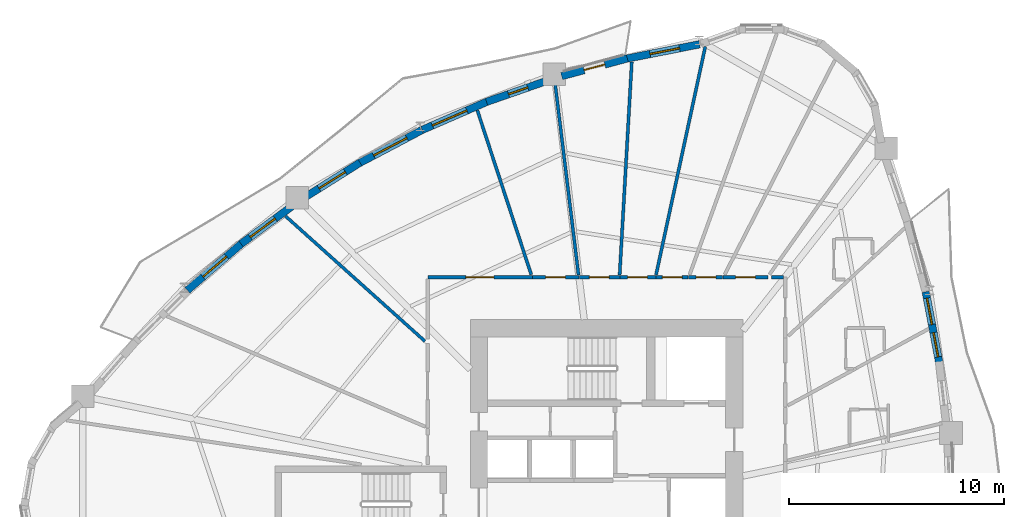
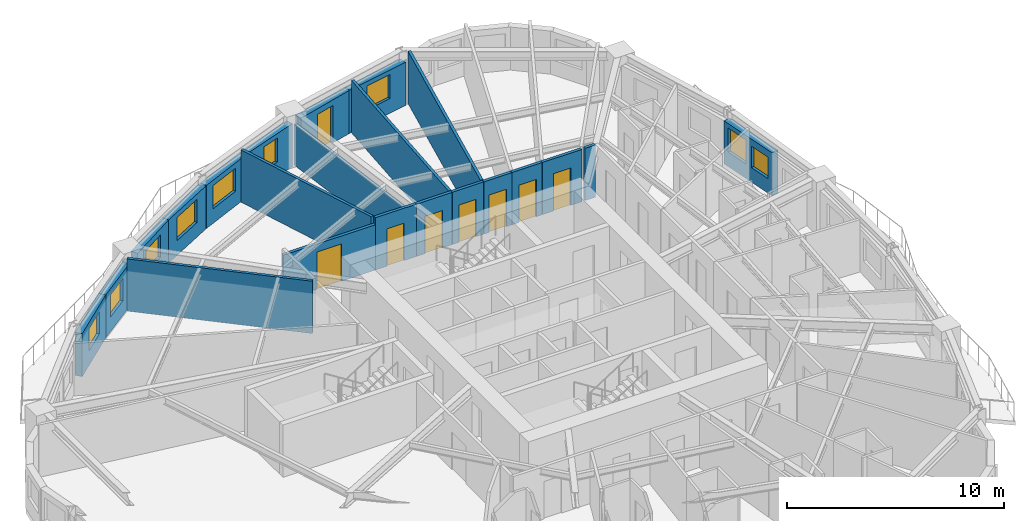
# One storey, part 8 of 14: 22 walls, 9 windows, 8 doors, 17 openings.
"""IFC4 building model written with IfcOpenShell, lengths in metres."""

from ifc_helpers import new_model, si_unit, direction, frame, frame_2d, origin, place, context, subcontext, project, spatial, rectangle, extrude, source, transform, mapped, material, layer, layer_set, type_object, element, fill, save


model = new_model("IFC4")

# Units and contexts
model_context = context("Model", 3, precision=1e-05, world=origin(), true_north=direction((0.0, 1.0)))
body_context = subcontext(model_context, "Body", "Model", "MODEL_VIEW")
ifc_project = project(units=[si_unit("LENGTHUNIT", "METRE"), si_unit("AREAUNIT", "SQUARE_METRE"), si_unit("VOLUMEUNIT", "CUBIC_METRE"), si_unit("PLANEANGLEUNIT", "RADIAN"), si_unit("MASSUNIT", "GRAM", prefix="KILO")], contexts=[model_context])

# Site, building, storey
site_placement = place(None, origin())
site = spatial("IfcSite", under=ifc_project, at=site_placement, CompositionType="ELEMENT")
building_placement = place(site_placement, origin())
building = spatial("IfcBuilding", under=site, at=building_placement, Name="Qafzar Sky-Pleat Residences", CompositionType="ELEMENT")
storey_placement = place(building_placement, frame((0.0, 0.0, 20.60009765625)))
storey = spatial("IfcBuildingStorey", under=building, at=storey_placement, Name="L05", CompositionType="ELEMENT", Elevation=20.60009765625)

# Wall, opening, door
ifc_material_1 = material(Name="Acoustic gypsum plasterboard partition", Category="gypsum")
ifc_layer_1 = layer(ifc_material_1, 0.159912109375)
ifc_layer_set_1 = layer_set([ifc_layer_1], Name="Acoustic gypsum plasterboard partition")
wall_type_1 = type_object("IfcWallType", Name="PART-COR-160", PredefinedType="PARTITIONING", material=ifc_layer_set_1)
wall_1_placement = place(storey_placement, frame((22.02001953125, 36.580078125, 0.0), z_axis=(0.0, 0.0, 1.0), x_axis=(1.0, 0.0, 0.0)))
wall_1 = element("IfcWall", 1, at=wall_1_placement, inside=storey, type_object=wall_type_1, Name="L05 Partition Wall PART-L05-PW-002", PredefinedType="PARTITIONING", context=body_context, shape_type="SweptSolid", body=[
    extrude(rectangle(XDim=4.8740234375, YDim=0.159912109375, at=frame_2d((2.43701171875, 0.0))), origin(), (0.0, 0.0, 1.0), 2.5478515625),
])
opening_1_placement = place(wall_1_placement, frame((1.779052734375, 0.0, 0.0)))
opening_1 = element("IfcOpeningElement", 2, at=opening_1_placement, cuts=wall_1, Name="Opening ID-05", PredefinedType="OPENING", context=body_context, shape_type="SweptSolid", body=[
    extrude(rectangle(XDim=1.300048828125, YDim=2.10009765625, at=frame_2d((0.64990234375, 1.050048828125))), frame((0.0, 0.08984375, 0.0), z_axis=(0.0, -1.0, 0.0), x_axis=(1.0, 0.0, 0.0)), (0.0, 0.0, 1.0), 0.179931640625),
])
ifc_material_2 = material(Name="Timber-faced fire door", Category="wood")
door_type_1 = type_object("IfcDoorType", Name="DR-LNG-1300", OperationType="DOUBLE_DOOR_SINGLE_SWING", PredefinedType="DOOR", material=ifc_material_2)
shared_shape_1 = source(origin(), body_context, "Body", "SweptSolid", [
    extrude(rectangle(XDim=1.300048828125, YDim=2.10009765625, at=frame_2d((0.64990234375, 1.050048828125))), frame((0.0, 0.02490234375, 0.0), z_axis=(0.0, -1.0, 0.0), x_axis=(1.0, 0.0, 0.0)), (0.0, 0.0, 1.0), 0.050048828125),
])
door_1_placement = place(opening_1_placement, origin())
door_1 = element("IfcDoor", 3, at=door_1_placement, inside=storey, type_object=door_type_1, Name="L05 Tutorial Huddle Room Door", OperationType="DOUBLE_DOOR_SINGLE_SWING", OverallHeight=2.10009765625, OverallWidth=1.300048828125, PredefinedType="DOOR", context=body_context, shape_type="MappedRepresentation", body=[
    mapped(shared_shape_1, transform((0.0, 0.0, 0.0), x_axis=(1.0, 0.0, 0.0), y_axis=(0.0, 1.0, 0.0), z_axis=(0.0, 0.0, 1.0), scale=1.0)),
])
fill(opening_1, door_1)

wall_2_placement = place(storey_placement, frame((26.908935546875, 36.580078125, 0.0), z_axis=(0.0, 0.0, 1.0), x_axis=(1.0, 0.0, 0.0)))
wall_2 = element("IfcWall", 4, at=wall_2_placement, inside=storey, type_object=wall_type_1, Name="L05 Partition Wall PART-L05-PW-016", PredefinedType="PARTITIONING", context=body_context, shape_type="SweptSolid", body=[
    extrude(rectangle(XDim=2.162109375, YDim=0.159912109375, at=frame_2d((1.0810546875, 0.0))), origin(), (0.0, 0.0, 1.0), 2.93994140625),
])
opening_2_placement = place(wall_2_placement, frame((0.597412109375, 0.0, 0.0)))
opening_2 = element("IfcOpeningElement", 5, at=opening_2_placement, cuts=wall_2, Name="Opening ID-04", PredefinedType="OPENING", context=body_context, shape_type="SweptSolid", body=[
    extrude(rectangle(XDim=0.919921875, YDim=2.10009765625, at=frame_2d((0.4599609375, 1.050048828125))), frame((0.0, 0.08984375, 0.0), z_axis=(0.0, -1.0, 0.0), x_axis=(1.0, 0.0, 0.0)), (0.0, 0.0, 1.0), 0.179931640625),
])
door_type_2 = type_object("IfcDoorType", Name="DR-BED-920", OperationType="NOTDEFINED", PredefinedType="DOOR", material=ifc_material_2)
shared_shape_2 = source(origin(), body_context, "Body", "SweptSolid", [
    extrude(rectangle(XDim=0.919921875, YDim=2.10009765625, at=frame_2d((0.4599609375, 1.050048828125))), frame((0.0, 0.02490234375, 0.0), z_axis=(0.0, -1.0, 0.0), x_axis=(1.0, 0.0, 0.0)), (0.0, 0.0, 1.0), 0.050048828125),
])
door_2_placement = place(opening_2_placement, origin())
door_2 = element("IfcDoor", 6, at=door_2_placement, inside=storey, type_object=door_type_2, Name="L05 Co-Living Bedroom 3 Door", OperationType="SINGLE_SWING_LEFT", OverallHeight=2.10009765625, OverallWidth=0.919921875, PredefinedType="DOOR", context=body_context, shape_type="MappedRepresentation", body=[
    mapped(shared_shape_2, transform((0.0, 0.0, 0.0), x_axis=(1.0, 0.0, 0.0), y_axis=(0.0, 1.0, 0.0), z_axis=(0.0, 0.0, 1.0), scale=1.0)),
])
fill(opening_2, door_2)

wall_3_placement = place(storey_placement, frame((35.77294921875, 36.580078125, 0.0), z_axis=(0.0, 0.0, 1.0), x_axis=(1.0, 0.0, 0.0)))
wall_3 = element("IfcWall", 7, at=wall_3_placement, inside=storey, type_object=wall_type_1, Name="L05 Partition Wall PART-L05-PW-017", PredefinedType="PARTITIONING", context=body_context, shape_type="SweptSolid", body=[
    extrude(rectangle(XDim=2.09716796875, YDim=0.159912109375, at=frame_2d((1.048583984375, 0.0))), origin(), (0.0, 0.0, 1.0), 2.93994140625),
])
opening_3_placement = place(wall_3_placement, frame((0.587890625, 0.0, 0.0)))
opening_3 = element("IfcOpeningElement", 8, at=opening_3_placement, cuts=wall_3, Name="Opening ID-04", PredefinedType="OPENING", context=body_context, shape_type="SweptSolid", body=[
    extrude(rectangle(XDim=0.919921875, YDim=2.10009765625, at=frame_2d((0.4599609375, 1.050048828125))), frame((0.0, 0.08984375, 0.0), z_axis=(0.0, -1.0, 0.0), x_axis=(1.0, 0.0, 0.0)), (0.0, 0.0, 1.0), 0.179931640625),
])
door_3_placement = place(opening_3_placement, origin())
door_3 = element("IfcDoor", 9, at=door_3_placement, inside=storey, type_object=door_type_2, Name="L05 Co-Living Bedroom 16 Door", OperationType="SINGLE_SWING_RIGHT", OverallHeight=2.10009765625, OverallWidth=0.919921875, PredefinedType="DOOR", context=body_context, shape_type="MappedRepresentation", body=[
    mapped(shared_shape_2, transform((0.0, 0.0, 0.0), x_axis=(1.0, 0.0, 0.0), y_axis=(0.0, 1.0, 0.0), z_axis=(0.0, 0.0, 1.0), scale=1.0)),
])
fill(opening_3, door_3)

wall_4_placement = place(storey_placement, frame((29.0859375, 36.580078125, 0.0), z_axis=(0.0, 0.0, 1.0), x_axis=(1.0, 0.0, 0.0)))
wall_4 = element("IfcWall", 10, at=wall_4_placement, inside=storey, type_object=wall_type_1, Name="L05 Partition Wall PART-L05-PW-026", PredefinedType="PARTITIONING", context=body_context, shape_type="SweptSolid", body=[
    extrude(rectangle(XDim=1.882080078125, YDim=0.159912109375, at=frame_2d((0.94091796875, 0.0))), origin(), (0.0, 0.0, 1.0), 2.93994140625),
])
opening_4_placement = place(wall_4_placement, frame((0.4580078125, 0.0, 0.0)))
opening_4 = element("IfcOpeningElement", 11, at=opening_4_placement, cuts=wall_4, Name="Opening ID-04", PredefinedType="OPENING", context=body_context, shape_type="SweptSolid", body=[
    extrude(rectangle(XDim=0.919921875, YDim=2.10009765625, at=frame_2d((0.4599609375, 1.050048828125))), frame((0.0, 0.08984375, 0.0), z_axis=(0.0, -1.0, 0.0), x_axis=(1.0, 0.0, 0.0)), (0.0, 0.0, 1.0), 0.179931640625),
])
door_4_placement = place(opening_4_placement, origin())
door_4 = element("IfcDoor", 12, at=door_4_placement, inside=storey, type_object=door_type_2, Name="L05 Co-Living Bedroom 4 Door", OperationType="SINGLE_SWING_LEFT", OverallHeight=2.10009765625, OverallWidth=0.919921875, PredefinedType="DOOR", context=body_context, shape_type="MappedRepresentation", body=[
    mapped(shared_shape_2, transform((0.0, 0.0, 0.0), x_axis=(1.0, 0.0, 0.0), y_axis=(0.0, 1.0, 0.0), z_axis=(0.0, 0.0, 1.0), scale=1.0)),
])
fill(opening_4, door_4)

wall_5_placement = place(storey_placement, frame((30.98291015625, 36.580078125, 0.0), z_axis=(0.0, 0.0, 1.0), x_axis=(1.0, 0.0, 0.0)))
wall_5 = element("IfcWall", 13, at=wall_5_placement, inside=storey, type_object=wall_type_1, Name="L05 Partition Wall PART-L05-PW-030", PredefinedType="PARTITIONING", context=body_context, shape_type="SweptSolid", body=[
    extrude(rectangle(XDim=1.6650390625, YDim=0.159912109375, at=frame_2d((0.83251953125, 0.0))), origin(), (0.0, 0.0, 1.0), 2.93994140625),
])
opening_5_placement = place(wall_5_placement, frame((0.35009765625, 0.0, 0.0)))
opening_5 = element("IfcOpeningElement", 14, at=opening_5_placement, cuts=wall_5, Name="Opening ID-04", PredefinedType="OPENING", context=body_context, shape_type="SweptSolid", body=[
    extrude(rectangle(XDim=0.919921875, YDim=2.10009765625, at=frame_2d((0.4599609375, 1.050048828125))), frame((0.0, 0.08984375, 0.0), z_axis=(0.0, -1.0, 0.0), x_axis=(1.0, 0.0, 0.0)), (0.0, 0.0, 1.0), 0.179931640625),
])
door_5_placement = place(opening_5_placement, origin())
door_5 = element("IfcDoor", 15, at=door_5_placement, inside=storey, type_object=door_type_2, Name="L05 Co-Living Bedroom 1 Door", OperationType="SINGLE_SWING_LEFT", OverallHeight=2.10009765625, OverallWidth=0.919921875, PredefinedType="DOOR", context=body_context, shape_type="MappedRepresentation", body=[
    mapped(shared_shape_2, transform((0.0, 0.0, 0.0), x_axis=(1.0, 0.0, 0.0), y_axis=(0.0, 1.0, 0.0), z_axis=(0.0, 0.0, 1.0), scale=1.0)),
])
fill(opening_5, door_5)

wall_6_placement = place(storey_placement, frame((34.162109375, 36.580078125, 0.0), z_axis=(0.0, 0.0, 1.0), x_axis=(1.0, 0.0, 0.0)))
wall_6 = element("IfcWall", 16, at=wall_6_placement, inside=storey, type_object=wall_type_1, Name="L05 Partition Wall PART-L05-PW-032", PredefinedType="PARTITIONING", context=body_context, shape_type="SweptSolid", body=[
    extrude(rectangle(XDim=1.595947265625, YDim=0.159912109375, at=frame_2d((0.7978515625, 0.0))), origin(), (0.0, 0.0, 1.0), 2.93994140625),
])
opening_6_placement = place(wall_6_placement, frame((0.362060546875, 0.0, 0.0)))
opening_6 = element("IfcOpeningElement", 17, at=opening_6_placement, cuts=wall_6, Name="Opening ID-04", PredefinedType="OPENING", context=body_context, shape_type="SweptSolid", body=[
    extrude(rectangle(XDim=0.919921875, YDim=2.10009765625, at=frame_2d((0.4599609375, 1.050048828125))), frame((0.0, 0.08984375, 0.0), z_axis=(0.0, -1.0, 0.0), x_axis=(1.0, 0.0, 0.0)), (0.0, 0.0, 1.0), 0.179931640625),
])
door_6_placement = place(opening_6_placement, origin())
door_6 = element("IfcDoor", 18, at=door_6_placement, inside=storey, type_object=door_type_2, Name="L05 Co-Living Bedroom 15 Door", OperationType="SINGLE_SWING_LEFT", OverallHeight=2.10009765625, OverallWidth=0.919921875, PredefinedType="DOOR", context=body_context, shape_type="MappedRepresentation", body=[
    mapped(shared_shape_2, transform((0.0, 0.0, 0.0), x_axis=(1.0, 0.0, 0.0), y_axis=(0.0, 1.0, 0.0), z_axis=(0.0, 0.0, 1.0), scale=1.0)),
])
fill(opening_6, door_6)

wall_7_placement = place(storey_placement, frame((32.6630859375, 36.580078125, 0.0), z_axis=(0.0, 0.0, 1.0), x_axis=(1.0, 0.0, 0.0)))
wall_7 = element("IfcWall", 19, at=wall_7_placement, inside=storey, type_object=wall_type_1, Name="L05 Partition Wall PART-L05-PW-033", PredefinedType="PARTITIONING", context=body_context, shape_type="SweptSolid", body=[
    extrude(rectangle(XDim=1.48388671875, YDim=0.159912109375, at=frame_2d((0.741943359375, 0.0))), origin(), (0.0, 0.0, 1.0), 2.93994140625),
])
opening_7_placement = place(wall_7_placement, frame((0.282470703125, 0.0, 0.0)))
opening_7 = element("IfcOpeningElement", 20, at=opening_7_placement, cuts=wall_7, Name="Opening ID-04", PredefinedType="OPENING", context=body_context, shape_type="SweptSolid", body=[
    extrude(rectangle(XDim=0.919921875, YDim=2.10009765625, at=frame_2d((0.4599609375, 1.050048828125))), frame((0.0, 0.08984375, 0.0), z_axis=(0.0, -1.0, 0.0), x_axis=(1.0, 0.0, 0.0)), (0.0, 0.0, 1.0), 0.179931640625),
])
door_7_placement = place(opening_7_placement, origin())
door_7 = element("IfcDoor", 21, at=door_7_placement, inside=storey, type_object=door_type_2, Name="L05 Co-Living Bedroom 2 Door", OperationType="SINGLE_SWING_RIGHT", OverallHeight=2.10009765625, OverallWidth=0.919921875, PredefinedType="DOOR", context=body_context, shape_type="MappedRepresentation", body=[
    mapped(shared_shape_2, transform((0.0, 0.0, 0.0), x_axis=(1.0, 0.0, 0.0), y_axis=(0.0, 1.0, 0.0), z_axis=(0.0, 0.0, 1.0), scale=1.0)),
])
fill(opening_7, door_7)

# Walls
wall_8_placement = place(storey_placement, frame((38.03857421875, 36.580078125, 0.0), z_axis=(0.0, 0.0, 1.0), x_axis=(1.0, 0.0, 0.0)))
element("IfcWall", 22, at=wall_8_placement, inside=storey, type_object=wall_type_1, Name="L05 Partition Wall PART-L05-PW-098", PredefinedType="PARTITIONING", context=body_context, shape_type="SweptSolid", body=[
    extrude(rectangle(XDim=0.553466796875, YDim=0.159912109375, at=frame_2d((0.27685546875, 0.0))), origin(), (0.0, 0.0, 1.0), 2.93994140625),
])
ifc_layer_2 = layer(ifc_material_1, 0.14501953125)
ifc_layer_set_2 = layer_set([ifc_layer_2], Name="Acoustic gypsum plasterboard partition")
wall_type_2 = type_object("IfcWallType", Name="PART-UNIT-145", PredefinedType="PARTITIONING", material=ifc_layer_set_2)
wall_9_placement = place(storey_placement, frame((32.6552734375, 36.68310546875, 0.0), z_axis=(0.0, 0.0, 1.0), x_axis=(0.210861831441, 0.977515876107, 0.0)))
element("IfcWall", 23, at=wall_9_placement, inside=storey, type_object=wall_type_2, Name="L05 Partition Wall PART-L05-PW-038", PredefinedType="PARTITIONING", context=body_context, shape_type="SweptSolid", body=[
    extrude(rectangle(XDim=10.88232421875, YDim=0.14501953125, at=frame_2d((5.441162109375, 0.0))), origin(), (0.0, 0.0, 1.0), 2.93994140625),
])
wall_10_placement = place(storey_placement, frame((30.958251953125, 36.672119140625, 0.0), z_axis=(0.0, 0.0, 1.0), x_axis=(0.056976385457, 0.998375526293, 0.0)))
element("IfcWall", 24, at=wall_10_placement, inside=storey, type_object=wall_type_2, Name="L05 Partition Wall PART-L05-PW-039", PredefinedType="PARTITIONING", context=body_context, shape_type="SweptSolid", body=[
    extrude(rectangle(XDim=9.9453125, YDim=0.14501953125, at=frame_2d((4.97265625, 0.0))), origin(), (0.0, 0.0, 1.0), 2.93994140625),
])
wall_11_placement = place(storey_placement, frame((27.94189453125, 45.679931640625, 0.0), z_axis=(0.0, 0.0, 1.0), x_axis=(0.12142050141, -0.992601159498, 0.0)))
element("IfcWall", 25, at=wall_11_placement, inside=storey, type_object=wall_type_2, Name="L05 Partition Wall PART-L05-PW-041", PredefinedType="PARTITIONING", context=body_context, shape_type="SweptSolid", body=[
    extrude(rectangle(XDim=9.0703125, YDim=0.14501953125, at=frame_2d((4.53515625, 0.0))), origin(), (0.0, 0.0, 1.0), 2.307861328125),
])
wall_12_placement = place(storey_placement, frame((15.397705078125, 39.416748046875, 0.0), z_axis=(0.0, 0.0, 1.0), x_axis=(0.744248709075, -0.667902581998, 0.0)))
element("IfcWall", 26, at=wall_12_placement, inside=storey, type_object=wall_type_2, Name="L05 Partition Wall PART-L05-PW-042", PredefinedType="PARTITIONING", context=body_context, shape_type="SweptSolid", body=[
    extrude(rectangle(XDim=8.71728515625, YDim=0.14501953125, at=frame_2d((4.358642578125, 0.0))), origin(), (0.0, 0.0, 1.0), 2.93994140625),
])
wall_13_placement = place(storey_placement, frame((24.329833984375, 44.34716796875, 0.0), z_axis=(0.0, 0.0, 1.0), x_axis=(0.311716142238, -0.950175271552, 0.0)))
element("IfcWall", 27, at=wall_13_placement, inside=storey, type_object=wall_type_2, Name="L05 Partition Wall PART-L05-PW-044", PredefinedType="PARTITIONING", context=body_context, shape_type="SweptSolid", body=[
    extrude(rectangle(XDim=8.05859375, YDim=0.14501953125, at=frame_2d((4.029296875, 0.0))), origin(), (0.0, 0.0, 1.0), 2.93994140625),
])

# Wall, openings, windows
ifc_material_3 = material(Name="Precast concrete C40/50 with honed Riyadh limestone", Category="concrete")
ifc_layer_3 = layer(ifc_material_3, 0.35009765625)
ifc_layer_set_3 = layer_set([ifc_layer_3], Name="Precast concrete C40/50 with honed Riyadh limestone")
wall_type_3 = type_object("IfcWallType", Name="WALL-EXT-350", PredefinedType="SOLIDWALL", material=ifc_layer_set_3)
wall_14_placement = place(storey_placement, frame((45.85400390625, 32.56201171875, 0.0), z_axis=(0.0, 0.0, 1.0), x_axis=(-0.186698837055, 0.982417194598, 0.0)))
wall_14 = element("IfcWall", 28, at=wall_14_placement, inside=storey, type_object=wall_type_3, Name="L05 Limestone Facade Wall 30", PredefinedType="SOLIDWALL", context=body_context, shape_type="SweptSolid", body=[
    extrude(rectangle(XDim=3.393310546875, YDim=0.35009765625, at=frame_2d((1.69677734375, 0.0))), origin(), (0.0, 0.0, 1.0), 2.419921875),
])
opening_8_placement = place(wall_14_placement, frame((0.3046875, 0.0, 0.820068359375)))
opening_8 = element("IfcOpeningElement", 29, at=opening_8_placement, cuts=wall_14, Name="Opening WN-16", PredefinedType="OPENING", context=body_context, shape_type="SweptSolid", body=[
    extrude(rectangle(XDim=1.14990234375, YDim=1.199951171875, at=frame_2d((0.574951171875, 0.60009765625))), frame((0.0, 0.18505859375, 0.0), z_axis=(0.0, -1.0, 0.0), x_axis=(1.0, 0.0, 0.0)), (0.0, 0.0, 1.0), 0.3701171875),
])
opening_9_placement = place(wall_14_placement, frame((1.841552734375, 0.0, 0.820068359375)))
opening_9 = element("IfcOpeningElement", 30, at=opening_9_placement, cuts=wall_14, Name="Opening WN-11", PredefinedType="OPENING", context=body_context, shape_type="SweptSolid", body=[
    extrude(rectangle(XDim=1.25, YDim=1.35009765625, at=frame_2d((0.625, 0.675048828125))), frame((0.0, 0.18505859375, 0.0), z_axis=(0.0, -1.0, 0.0), x_axis=(1.0, 0.0, 0.0)), (0.0, 0.0, 1.0), 0.3701171875),
])
ifc_material_4 = material(Name="Solar-control low-E glass in bronze aluminium frame", Category="glass")
window_type_1 = type_object("IfcWindowType", Name="WIN-11", PartitioningType="SINGLE_PANEL", PredefinedType="WINDOW", material=ifc_material_4)
shared_shape_3 = source(origin(), body_context, "Body", "SweptSolid", [
    extrude(rectangle(XDim=1.25, YDim=1.35009765625, at=frame_2d((0.625, 0.675048828125))), frame((0.0, 0.030029296875, 0.0), z_axis=(0.0, -1.0, 0.0), x_axis=(1.0, 0.0, 0.0)), (0.0, 0.0, 1.0), 0.06005859375),
])
window_1_placement = place(opening_9_placement, origin())
window_1 = element("IfcWindow", 31, at=window_1_placement, inside=storey, type_object=window_type_1, Name="L05 Punched Facade Window 30-2", OverallHeight=1.35009765625, OverallWidth=1.25, PartitioningType="SINGLE_PANEL", PredefinedType="WINDOW", context=body_context, shape_type="MappedRepresentation", body=[
    mapped(shared_shape_3, transform((0.0, 0.0, 0.0), x_axis=(1.0, 0.0, 0.0), y_axis=(0.0, 1.0, 0.0), z_axis=(0.0, 0.0, 1.0), scale=1.0)),
])
fill(opening_9, window_1)
window_type_2 = type_object("IfcWindowType", Name="WIN-16", PartitioningType="SINGLE_PANEL", PredefinedType="WINDOW", material=ifc_material_4)
shared_shape_4 = source(origin(), body_context, "Body", "SweptSolid", [
    extrude(rectangle(XDim=1.14990234375, YDim=1.199951171875, at=frame_2d((0.574951171875, 0.60009765625))), frame((0.0, 0.030029296875, 0.0), z_axis=(0.0, -1.0, 0.0), x_axis=(1.0, 0.0, 0.0)), (0.0, 0.0, 1.0), 0.06005859375),
])
window_2_placement = place(opening_8_placement, origin())
window_2 = element("IfcWindow", 32, at=window_2_placement, inside=storey, type_object=window_type_2, Name="L05 Punched Facade Window 30", OverallHeight=1.199951171875, OverallWidth=1.14990234375, PartitioningType="SINGLE_PANEL", PredefinedType="WINDOW", context=body_context, shape_type="MappedRepresentation", body=[
    mapped(shared_shape_4, transform((0.0, 0.0, 0.0), x_axis=(1.0, 0.0, 0.0), y_axis=(0.0, 1.0, 0.0), z_axis=(0.0, 0.0, 1.0), scale=1.0)),
])
fill(opening_8, window_2)

# Wall, opening, window
wall_15_placement = place(storey_placement, frame((34.6865234375, 47.427490234375, 0.0), z_axis=(0.0, 0.0, 1.0), x_axis=(-0.981220485855, -0.192889497219, 0.0)))
wall_15 = element("IfcWall", 33, at=wall_15_placement, inside=storey, type_object=wall_type_3, Name="L05 Limestone Facade Wall 39", PredefinedType="SOLIDWALL", context=body_context, shape_type="SweptSolid", body=[
    extrude(rectangle(XDim=3.5224609375, YDim=0.35009765625, at=frame_2d((1.76123046875, 0.0))), origin(), (0.0, 0.0, 1.0), 2.419921875),
])
opening_10_placement = place(wall_15_placement, frame((0.9560546875, 0.0, 0.820068359375)))
opening_10 = element("IfcOpeningElement", 34, at=opening_10_placement, cuts=wall_15, Name="Opening WN-10", PredefinedType="OPENING", context=body_context, shape_type="SweptSolid", body=[
    extrude(rectangle(XDim=1.39990234375, YDim=1.35009765625, at=frame_2d((0.699951171875, 0.675048828125))), frame((0.0, 0.18505859375, 0.0), z_axis=(0.0, -1.0, 0.0), x_axis=(1.0, 0.0, 0.0)), (0.0, 0.0, 1.0), 0.3701171875),
])
window_type_3 = type_object("IfcWindowType", Name="WIN-10", PartitioningType="SINGLE_PANEL", PredefinedType="WINDOW", material=ifc_material_4)
shared_shape_5 = source(origin(), body_context, "Body", "SweptSolid", [
    extrude(rectangle(XDim=1.39990234375, YDim=1.35009765625, at=frame_2d((0.699951171875, 0.675048828125))), frame((0.0, 0.030029296875, 0.0), z_axis=(0.0, -1.0, 0.0), x_axis=(1.0, 0.0, 0.0)), (0.0, 0.0, 1.0), 0.06005859375),
])
window_3_placement = place(opening_10_placement, origin())
window_3 = element("IfcWindow", 35, at=window_3_placement, inside=storey, type_object=window_type_3, Name="L05 Punched Facade Window 39", OverallHeight=1.35009765625, OverallWidth=1.39990234375, PartitioningType="SINGLE_PANEL", PredefinedType="WINDOW", context=body_context, shape_type="MappedRepresentation", body=[
    mapped(shared_shape_5, transform((0.0, 0.0, 0.0), x_axis=(1.0, 0.0, 0.0), y_axis=(0.0, 1.0, 0.0), z_axis=(0.0, 0.0, 1.0), scale=1.0)),
])
fill(opening_10, window_3)

# Wall, opening, door
wall_16_placement = place(storey_placement, frame((31.31591796875, 46.76806640625, 0.0), z_axis=(0.0, 0.0, 1.0), x_axis=(-0.965446721184, -0.260600515261, 0.0)))
wall_16 = element("IfcWall", 36, at=wall_16_placement, inside=storey, type_object=wall_type_3, Name="L05 Limestone Facade Wall 40", PredefinedType="SOLIDWALL", context=body_context, shape_type="SweptSolid", body=[
    extrude(rectangle(XDim=3.16943359375, YDim=0.35009765625, at=frame_2d((1.584716796875, 0.0))), origin(), (0.0, 0.0, 1.0), 2.419921875),
])
opening_11_placement = place(wall_16_placement, frame((1.084716796875, 0.0, 0.0)))
opening_11 = element("IfcOpeningElement", 37, at=opening_11_placement, cuts=wall_16, Name="Opening ED-05", PredefinedType="OPENING", context=body_context, shape_type="SweptSolid", body=[
    extrude(rectangle(XDim=1.0, YDim=2.10009765625, at=frame_2d((0.5, 1.050048828125))), frame((0.0, 0.18505859375, 0.0), z_axis=(0.0, -1.0, 0.0), x_axis=(1.0, 0.0, 0.0)), (0.0, 0.0, 1.0), 0.3701171875),
])
ifc_material_5 = material(Name="Glazed bronze aluminium door", Category="aluminium")
door_type_3 = type_object("IfcDoorType", Name="DR-BAL-1000", OperationType="NOTDEFINED", PredefinedType="DOOR", material=ifc_material_5)
shared_shape_6 = source(origin(), body_context, "Body", "SweptSolid", [
    extrude(rectangle(XDim=1.0, YDim=2.10009765625, at=frame_2d((0.5, 1.050048828125))), frame((0.0, 0.02490234375, 0.0), z_axis=(0.0, -1.0, 0.0), x_axis=(1.0, 0.0, 0.0)), (0.0, 0.0, 1.0), 0.050048828125),
])
door_8_placement = place(opening_11_placement, origin())
door_8 = element("IfcDoor", 38, at=door_8_placement, inside=storey, type_object=door_type_3, Name="L05 Glazed Balcony Door 2", OperationType="SINGLE_SWING_LEFT", OverallHeight=2.10009765625, OverallWidth=1.0, PredefinedType="DOOR", context=body_context, shape_type="MappedRepresentation", body=[
    mapped(shared_shape_6, transform((0.0, 0.0, 0.0), x_axis=(1.0, 0.0, 0.0), y_axis=(0.0, 1.0, 0.0), z_axis=(0.0, 0.0, 1.0), scale=1.0)),
])
fill(opening_11, door_8)

# Wall, opening, window
wall_17_placement = place(storey_placement, frame((27.6953125, 45.768798828125, 0.0), z_axis=(0.0, 0.0, 1.0), x_axis=(-0.94414288081, -0.329536372221, 0.0)))
wall_17 = element("IfcWall", 39, at=wall_17_placement, inside=storey, type_object=wall_type_3, Name="L05 Limestone Facade Wall 41", PredefinedType="SOLIDWALL", context=body_context, shape_type="SweptSolid", body=[
    extrude(rectangle(XDim=3.113037109375, YDim=0.35009765625, at=frame_2d((1.556640625, 0.0))), origin(), (0.0, 0.0, 1.0), 2.419921875),
])
opening_12_placement = place(wall_17_placement, frame((1.07666015625, 0.0, 0.820068359375)))
opening_12 = element("IfcOpeningElement", 40, at=opening_12_placement, cuts=wall_17, Name="Opening WN-12", PredefinedType="OPENING", context=body_context, shape_type="SweptSolid", body=[
    extrude(rectangle(XDim=0.949951171875, YDim=1.35009765625, at=frame_2d((0.47509765625, 0.675048828125))), frame((0.0, 0.18505859375, 0.0), z_axis=(0.0, -1.0, 0.0), x_axis=(1.0, 0.0, 0.0)), (0.0, 0.0, 1.0), 0.3701171875),
])
window_type_4 = type_object("IfcWindowType", Name="WIN-12", PartitioningType="SINGLE_PANEL", PredefinedType="WINDOW", material=ifc_material_4)
shared_shape_7 = source(origin(), body_context, "Body", "SweptSolid", [
    extrude(rectangle(XDim=0.949951171875, YDim=1.35009765625, at=frame_2d((0.47509765625, 0.675048828125))), frame((0.0, 0.030029296875, 0.0), z_axis=(0.0, -1.0, 0.0), x_axis=(1.0, 0.0, 0.0)), (0.0, 0.0, 1.0), 0.06005859375),
])
window_4_placement = place(opening_12_placement, origin())
window_4 = element("IfcWindow", 41, at=window_4_placement, inside=storey, type_object=window_type_4, Name="L05 Punched Facade Window 41", OverallHeight=1.35009765625, OverallWidth=0.949951171875, PartitioningType="SINGLE_PANEL", PredefinedType="WINDOW", context=body_context, shape_type="MappedRepresentation", body=[
    mapped(shared_shape_7, transform((0.0, 0.0, 0.0), x_axis=(1.0, 0.0, 0.0), y_axis=(0.0, 1.0, 0.0), z_axis=(0.0, 0.0, 1.0), scale=1.0)),
])
fill(opening_12, window_4)

wall_18_placement = place(storey_placement, frame((24.8388671875, 44.775390625, 0.0), z_axis=(0.0, 0.0, 1.0), x_axis=(-0.917081622701, -0.398699507529, 0.0)))
wall_18 = element("IfcWall", 42, at=wall_18_placement, inside=storey, type_object=wall_type_3, Name="L05 Limestone Facade Wall 42", PredefinedType="SOLIDWALL", context=body_context, shape_type="SweptSolid", body=[
    extrude(rectangle(XDim=3.355712890625, YDim=0.35009765625, at=frame_2d((1.677734375, 0.0))), origin(), (0.0, 0.0, 1.0), 2.419921875),
])
opening_13_placement = place(wall_18_placement, frame((1.090576171875, 0.0, 0.820068359375)))
opening_13 = element("IfcOpeningElement", 43, at=opening_13_placement, cuts=wall_18, Name="Opening WN-14", PredefinedType="OPENING", context=body_context, shape_type="SweptSolid", body=[
    extrude(rectangle(XDim=1.75, YDim=1.300048828125, at=frame_2d((0.875, 0.64990234375))), frame((0.0, 0.18505859375, 0.0), z_axis=(0.0, -1.0, 0.0), x_axis=(1.0, 0.0, 0.0)), (0.0, 0.0, 1.0), 0.3701171875),
])
window_type_5 = type_object("IfcWindowType", Name="WIN-14", PartitioningType="DOUBLE_PANEL_VERTICAL", PredefinedType="WINDOW", material=ifc_material_4)
shared_shape_8 = source(origin(), body_context, "Body", "SweptSolid", [
    extrude(rectangle(XDim=1.75, YDim=1.300048828125, at=frame_2d((0.875, 0.64990234375))), frame((0.0, 0.030029296875, 0.0), z_axis=(0.0, -1.0, 0.0), x_axis=(1.0, 0.0, 0.0)), (0.0, 0.0, 1.0), 0.06005859375),
])
window_5_placement = place(opening_13_placement, origin())
window_5 = element("IfcWindow", 44, at=window_5_placement, inside=storey, type_object=window_type_5, Name="L05 Punched Facade Window 42-2", OverallHeight=1.300048828125, OverallWidth=1.75, PartitioningType="SINGLE_PANEL", PredefinedType="WINDOW", context=body_context, shape_type="MappedRepresentation", body=[
    mapped(shared_shape_8, transform((0.0, 0.0, 0.0), x_axis=(1.0, 0.0, 0.0), y_axis=(0.0, 1.0, 0.0), z_axis=(0.0, 0.0, 1.0), scale=1.0)),
])
fill(opening_13, window_5)

wall_19_placement = place(storey_placement, frame((21.7373046875, 43.42578125, 0.0), z_axis=(0.0, 0.0, 1.0), x_axis=(-0.884406567815, -0.466717283595, 0.0)))
wall_19 = element("IfcWall", 45, at=wall_19_placement, inside=storey, type_object=wall_type_3, Name="L05 Limestone Facade Wall 43", PredefinedType="SOLIDWALL", context=body_context, shape_type="SweptSolid", body=[
    extrude(rectangle(XDim=3.33642578125, YDim=0.35009765625, at=frame_2d((1.668212890625, 0.0))), origin(), (0.0, 0.0, 1.0), 2.419921875),
])
opening_14_placement = place(wall_19_placement, frame((0.783203125, 0.0, 0.820068359375)))
opening_14 = element("IfcOpeningElement", 46, at=opening_14_placement, cuts=wall_19, Name="Opening WN-14", PredefinedType="OPENING", context=body_context, shape_type="SweptSolid", body=[
    extrude(rectangle(XDim=1.75, YDim=1.300048828125, at=frame_2d((0.875, 0.64990234375))), frame((0.0, 0.18505859375, 0.0), z_axis=(0.0, -1.0, 0.0), x_axis=(1.0, 0.0, 0.0)), (0.0, 0.0, 1.0), 0.3701171875),
])
window_6_placement = place(opening_14_placement, origin())
window_6 = element("IfcWindow", 47, at=window_6_placement, inside=storey, type_object=window_type_5, Name="L05 Punched Facade Window 43", OverallHeight=1.300048828125, OverallWidth=1.75, PartitioningType="SINGLE_PANEL", PredefinedType="WINDOW", context=body_context, shape_type="MappedRepresentation", body=[
    mapped(shared_shape_8, transform((0.0, 0.0, 0.0), x_axis=(1.0, 0.0, 0.0), y_axis=(0.0, 1.0, 0.0), z_axis=(0.0, 0.0, 1.0), scale=1.0)),
])
fill(opening_14, window_6)

wall_20_placement = place(storey_placement, frame((18.864013671875, 41.9130859375, 0.0), z_axis=(0.0, 0.0, 1.0), x_axis=(-0.84643287852, -0.532495429239, 0.0)))
wall_20 = element("IfcWall", 48, at=wall_20_placement, inside=storey, type_object=wall_type_3, Name="L05 Limestone Facade Wall 44", PredefinedType="SOLIDWALL", context=body_context, shape_type="SweptSolid", body=[
    extrude(rectangle(XDim=3.05615234375, YDim=0.35009765625, at=frame_2d((1.528076171875, 0.0))), origin(), (0.0, 0.0, 1.0), 2.419921875),
])
opening_15_placement = place(wall_20_placement, frame((0.80810546875, 0.0, 0.820068359375)))
opening_15 = element("IfcOpeningElement", 49, at=opening_15_placement, cuts=wall_20, Name="Opening WN-15", PredefinedType="OPENING", context=body_context, shape_type="SweptSolid", body=[
    extrude(rectangle(XDim=1.449951171875, YDim=1.25, at=frame_2d((0.72509765625, 0.625))), frame((0.0, 0.18505859375, 0.0), z_axis=(0.0, -1.0, 0.0), x_axis=(1.0, 0.0, 0.0)), (0.0, 0.0, 1.0), 0.3701171875),
])
window_type_6 = type_object("IfcWindowType", Name="WIN-15", PartitioningType="SINGLE_PANEL", PredefinedType="WINDOW", material=ifc_material_4)
shared_shape_9 = source(origin(), body_context, "Body", "SweptSolid", [
    extrude(rectangle(XDim=1.449951171875, YDim=1.25, at=frame_2d((0.72509765625, 0.625))), frame((0.0, 0.030029296875, 0.0), z_axis=(0.0, -1.0, 0.0), x_axis=(1.0, 0.0, 0.0)), (0.0, 0.0, 1.0), 0.06005859375),
])
window_7_placement = place(opening_15_placement, origin())
window_7 = element("IfcWindow", 50, at=window_7_placement, inside=storey, type_object=window_type_6, Name="L05 Punched Facade Window 44", OverallHeight=1.25, OverallWidth=1.449951171875, PartitioningType="SINGLE_PANEL", PredefinedType="WINDOW", context=body_context, shape_type="MappedRepresentation", body=[
    mapped(shared_shape_9, transform((0.0, 0.0, 0.0), x_axis=(1.0, 0.0, 0.0), y_axis=(0.0, 1.0, 0.0), z_axis=(0.0, 0.0, 1.0), scale=1.0)),
])
fill(opening_15, window_7)

wall_21_placement = place(storey_placement, frame((15.79296875, 39.954833984375, 0.0), z_axis=(0.0, 0.0, 1.0), x_axis=(-0.803813051054, -0.594881987419, 0.0)))
wall_21 = element("IfcWall", 51, at=wall_21_placement, inside=storey, type_object=wall_type_3, Name="L05 Limestone Facade Wall 45", PredefinedType="SOLIDWALL", context=body_context, shape_type="SweptSolid", body=[
    extrude(rectangle(XDim=3.075439453125, YDim=0.35009765625, at=frame_2d((1.53759765625, 0.0))), origin(), (0.0, 0.0, 1.0), 2.419921875),
])
opening_16_placement = place(wall_21_placement, frame((1.09521484375, 0.0, 0.820068359375)))
opening_16 = element("IfcOpeningElement", 52, at=opening_16_placement, cuts=wall_21, Name="Opening WN-15", PredefinedType="OPENING", context=body_context, shape_type="SweptSolid", body=[
    extrude(rectangle(XDim=1.449951171875, YDim=1.25, at=frame_2d((0.72509765625, 0.625))), frame((0.0, 0.18505859375, 0.0), z_axis=(0.0, -1.0, 0.0), x_axis=(1.0, 0.0, 0.0)), (0.0, 0.0, 1.0), 0.3701171875),
])
window_8_placement = place(opening_16_placement, origin())
window_8 = element("IfcWindow", 53, at=window_8_placement, inside=storey, type_object=window_type_6, Name="L05 Punched Facade Window 45-2", OverallHeight=1.25, OverallWidth=1.449951171875, PartitioningType="SINGLE_PANEL", PredefinedType="WINDOW", context=body_context, shape_type="MappedRepresentation", body=[
    mapped(shared_shape_9, transform((0.0, 0.0, 0.0), x_axis=(1.0, 0.0, 0.0), y_axis=(0.0, 1.0, 0.0), z_axis=(0.0, 0.0, 1.0), scale=1.0)),
])
fill(opening_16, window_8)

wall_22_placement = place(storey_placement, frame((13.39013671875, 38.180908203125, 0.0), z_axis=(0.0, 0.0, 1.0), x_axis=(-0.757476213352, -0.652862762153, 0.0)))
wall_22 = element("IfcWall", 54, at=wall_22_placement, inside=storey, type_object=wall_type_3, Name="L05 Limestone Facade Wall 46", PredefinedType="SOLIDWALL", context=body_context, shape_type="SweptSolid", body=[
    extrude(rectangle(XDim=3.393310546875, YDim=0.35009765625, at=frame_2d((1.69677734375, 0.0))), origin(), (0.0, 0.0, 1.0), 2.419921875),
])
opening_17_placement = place(wall_22_placement, frame((0.981689453125, 0.0, 0.820068359375)))
opening_17 = element("IfcOpeningElement", 55, at=opening_17_placement, cuts=wall_22, Name="Opening WN-15", PredefinedType="OPENING", context=body_context, shape_type="SweptSolid", body=[
    extrude(rectangle(XDim=1.449951171875, YDim=1.25, at=frame_2d((0.72509765625, 0.625))), frame((0.0, 0.18505859375, 0.0), z_axis=(0.0, -1.0, 0.0), x_axis=(1.0, 0.0, 0.0)), (0.0, 0.0, 1.0), 0.3701171875),
])
window_9_placement = place(opening_17_placement, origin())
window_9 = element("IfcWindow", 56, at=window_9_placement, inside=storey, type_object=window_type_6, Name="L05 Punched Facade Window 46", OverallHeight=1.25, OverallWidth=1.449951171875, PartitioningType="SINGLE_PANEL", PredefinedType="WINDOW", context=body_context, shape_type="MappedRepresentation", body=[
    mapped(shared_shape_9, transform((0.0, 0.0, 0.0), x_axis=(1.0, 0.0, 0.0), y_axis=(0.0, 1.0, 0.0), z_axis=(0.0, 0.0, 1.0), scale=1.0)),
])
fill(opening_17, window_9)

save(model, "model.ifc")
